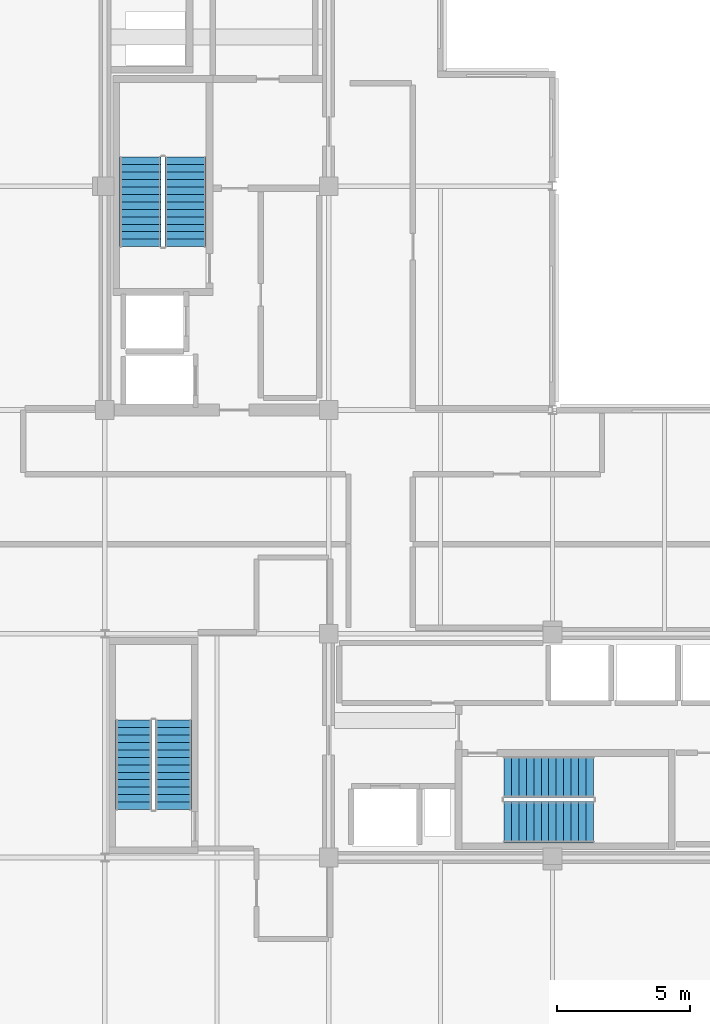
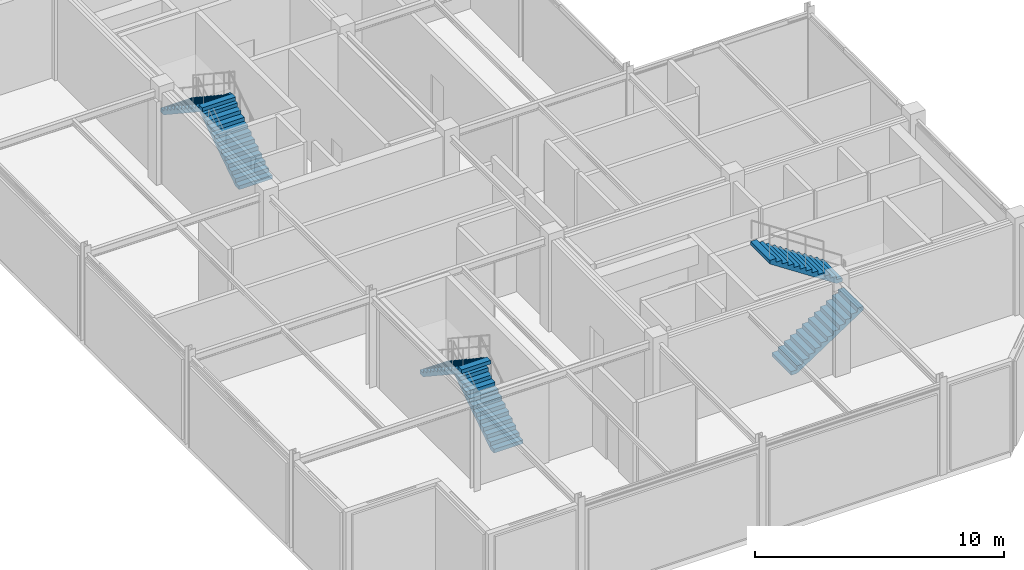
# One storey, part 6 of 9: 6 stair flights, 3 elements without a shape of their own.
"""IFC4 building model written with IfcOpenShell, lengths in metres."""

from ifc_helpers import new_model, si_unit, direction, frame, origin, place, context, subcontext, project, spatial, polyline, outline, extrude, material, type_object, element, aggregate, save


model = new_model("IFC4")

# Units and contexts
model_context = context("Model", 3, precision=1e-05, world=origin(), true_north=direction((0.0, 1.0)))
body_context = subcontext(model_context, "Body", "Model", "MODEL_VIEW")
ifc_project = project(units=[si_unit("LENGTHUNIT", "METRE"), si_unit("AREAUNIT", "SQUARE_METRE"), si_unit("VOLUMEUNIT", "CUBIC_METRE"), si_unit("PLANEANGLEUNIT", "RADIAN"), si_unit("MASSUNIT", "GRAM", prefix="KILO")], contexts=[model_context])

# Site, building, storey
site_placement = place(None, origin())
site = spatial("IfcSite", under=ifc_project, at=site_placement, CompositionType="ELEMENT")
building_placement = place(site_placement, origin())
building = spatial("IfcBuilding", under=site, at=building_placement, Name="Nerrivon Quay Data Exchange", CompositionType="ELEMENT")
storey_placement = place(building_placement, frame((0.0, 0.0, 322.199951171875)))
storey = spatial("IfcBuildingStorey", under=building, at=storey_placement, Name="L77", CompositionType="ELEMENT", Elevation=322.199951171875)

# Stair, stair flights
ifc_material = material(Name="Concrete N50 (50 MPa)", Category="concrete")
stair_type = type_object("IfcStairType", Name="STAIR-DOG-48", PredefinedType="HALF_TURN_STAIR", material=ifc_material)
stair_1_placement = place(storey_placement, origin())
stair_1 = element("IfcStair", 1, at=stair_1_placement, inside=storey, type_object=stair_type, Name="L77 West Core Fire Stair ST01", PredefinedType="HALF_TURN_STAIR")
stair_flight_type = type_object("IfcStairFlightType", Name="FLIGHT-DOG-48", PredefinedType="STRAIGHT", material=ifc_material)
stair_flight_1_placement = place(storey_placement, frame((11.425048828125, 31.330078125, 0.0), z_axis=(0.0, 0.0, 1.0), x_axis=(0.0, 1.0, 0.0)))
stair_flight_1 = element("IfcStairFlight", 2, at=stair_flight_1_placement, type_object=stair_flight_type, Name="ST01 flight 1", NumberOfRisers=13, NumberOfTreads=12, PredefinedType="STRAIGHT", RiserHeight=0.184615385, TreadLength=0.28, context=body_context, shape_type="SweptSolid", body=[
    extrude(outline(polyline([(0.0, 0.0), (0.0, 0.1845703125), (0.280029296875, 0.1845703125), (0.280029296875, 0.369140625), (0.56005859375, 0.369140625), (0.56005859375, 0.553955078125), (0.840087890625, 0.553955078125), (0.840087890625, 0.738525390625), (1.1201171875, 0.738525390625), (1.1201171875, 0.923095703125), (1.39990234375, 0.923095703125), (1.39990234375, 1.107666015625), (1.679931640625, 1.107666015625), (1.679931640625, 1.292236328125), (1.9599609375, 1.292236328125), (1.9599609375, 1.476806640625), (2.239990234375, 1.476806640625), (2.239990234375, 1.66162109375), (2.52001953125, 1.66162109375), (2.52001953125, 1.84619140625), (2.800048828125, 1.84619140625), (2.800048828125, 2.03076171875), (3.080078125, 2.03076171875), (3.080078125, 2.21533203125), (3.360107421875, 2.21533203125), (3.360107421875, 2.39990234375), (3.360107421875, 2.035888671875), (0.272216796875, 0.0), (0.0, 0.0)])), frame((0.0, 0.77490234375, 0.0), z_axis=(0.0, -1.0, 0.0), x_axis=(1.0, 0.0, 0.0)), (0.0, 0.0, 1.0), 1.550048828125),
])
stair_flight_2_placement = place(storey_placement, frame((9.72509765625, 34.68994140625, 2.400146484375), z_axis=(0.0, 0.0, 1.0), x_axis=(0.0, -1.0, 0.0)))
stair_flight_2 = element("IfcStairFlight", 3, at=stair_flight_2_placement, type_object=stair_flight_type, Name="ST01 flight 2", NumberOfRisers=13, NumberOfTreads=12, PredefinedType="STRAIGHT", RiserHeight=0.184615385, TreadLength=0.28, context=body_context, shape_type="SweptSolid", body=[
    extrude(outline(polyline([(0.0, 0.0), (0.0, 0.1845703125), (0.280029296875, 0.1845703125), (0.280029296875, 0.369140625), (0.56005859375, 0.369140625), (0.56005859375, 0.553955078125), (0.840087890625, 0.553955078125), (0.840087890625, 0.738525390625), (1.1201171875, 0.738525390625), (1.1201171875, 0.923095703125), (1.39990234375, 0.923095703125), (1.39990234375, 1.107666015625), (1.679931640625, 1.107666015625), (1.679931640625, 1.292236328125), (1.9599609375, 1.292236328125), (1.9599609375, 1.476806640625), (2.239990234375, 1.476806640625), (2.239990234375, 1.66162109375), (2.52001953125, 1.66162109375), (2.52001953125, 1.84619140625), (2.800048828125, 1.84619140625), (2.800048828125, 2.03076171875), (3.080078125, 2.03076171875), (3.080078125, 2.21533203125), (3.360107421875, 2.21533203125), (3.360107421875, 2.39990234375), (3.360107421875, 2.035888671875), (0.272216796875, 0.0), (0.0, 0.0)])), frame((0.0, 0.77490234375, 0.0), z_axis=(0.0, -1.0, 0.0), x_axis=(1.0, 0.0, 0.0)), (0.0, 0.0, 1.0), 1.550048828125),
])
aggregate(stair_1, [stair_flight_1, stair_flight_2])

stair_2_placement = place(storey_placement, origin())
stair_2 = element("IfcStair", 4, at=stair_2_placement, inside=storey, type_object=stair_type, Name="L77 East Core Fire Stair ST02", PredefinedType="HALF_TURN_STAIR")
stair_flight_3_placement = place(storey_placement, frame((23.3798828125, 9.72509765625, 0.0), z_axis=(0.0, 0.0, 1.0), x_axis=(1.0, 0.0, 0.0)))
stair_flight_3 = element("IfcStairFlight", 5, at=stair_flight_3_placement, type_object=stair_flight_type, Name="ST02 flight 1", NumberOfRisers=13, NumberOfTreads=12, PredefinedType="STRAIGHT", RiserHeight=0.184615385, TreadLength=0.28, context=body_context, shape_type="SweptSolid", body=[
    extrude(outline(polyline([(0.0, 0.0), (0.0, 0.1845703125), (0.280029296875, 0.1845703125), (0.280029296875, 0.369140625), (0.56005859375, 0.369140625), (0.56005859375, 0.553955078125), (0.840087890625, 0.553955078125), (0.840087890625, 0.738525390625), (1.1201171875, 0.738525390625), (1.1201171875, 0.923095703125), (1.39990234375, 0.923095703125), (1.39990234375, 1.107666015625), (1.679931640625, 1.107666015625), (1.679931640625, 1.292236328125), (1.9599609375, 1.292236328125), (1.9599609375, 1.476806640625), (2.239990234375, 1.476806640625), (2.239990234375, 1.66162109375), (2.52001953125, 1.66162109375), (2.52001953125, 1.84619140625), (2.800048828125, 1.84619140625), (2.800048828125, 2.03076171875), (3.080078125, 2.03076171875), (3.080078125, 2.21533203125), (3.360107421875, 2.21533203125), (3.360107421875, 2.39990234375), (3.360107421875, 2.035888671875), (0.272216796875, 0.0), (0.0, 0.0)])), frame((0.0, 0.77490234375, 0.0), z_axis=(0.0, -1.0, 0.0), x_axis=(1.0, 0.0, 0.0)), (0.0, 0.0, 1.0), 1.550048828125),
])
stair_flight_4_placement = place(storey_placement, frame((26.739990234375, 11.425048828125, 2.400146484375), z_axis=(0.0, 0.0, 1.0), x_axis=(-1.0, 0.0, 0.0)))
stair_flight_4 = element("IfcStairFlight", 6, at=stair_flight_4_placement, type_object=stair_flight_type, Name="ST02 flight 2", NumberOfRisers=13, NumberOfTreads=12, PredefinedType="STRAIGHT", RiserHeight=0.184615385, TreadLength=0.28, context=body_context, shape_type="SweptSolid", body=[
    extrude(outline(polyline([(0.0, 0.0), (0.0, 0.1845703125), (0.280029296875, 0.1845703125), (0.280029296875, 0.369140625), (0.56005859375, 0.369140625), (0.56005859375, 0.553955078125), (0.840087890625, 0.553955078125), (0.840087890625, 0.738525390625), (1.1201171875, 0.738525390625), (1.1201171875, 0.923095703125), (1.39990234375, 0.923095703125), (1.39990234375, 1.107666015625), (1.679931640625, 1.107666015625), (1.679931640625, 1.292236328125), (1.9599609375, 1.292236328125), (1.9599609375, 1.476806640625), (2.239990234375, 1.476806640625), (2.239990234375, 1.66162109375), (2.52001953125, 1.66162109375), (2.52001953125, 1.84619140625), (2.800048828125, 1.84619140625), (2.800048828125, 2.03076171875), (3.080078125, 2.03076171875), (3.080078125, 2.21533203125), (3.360107421875, 2.21533203125), (3.360107421875, 2.39990234375), (3.360107421875, 2.035888671875), (0.272216796875, 0.0), (0.0, 0.0)])), frame((0.0, 0.77490234375, 0.0), z_axis=(0.0, -1.0, 0.0), x_axis=(1.0, 0.0, 0.0)), (0.0, 0.0, 1.0), 1.550048828125),
])
aggregate(stair_2, [stair_flight_3, stair_flight_4])

stair_3_placement = place(storey_placement, origin())
stair_3 = element("IfcStair", 7, at=stair_3_placement, inside=storey, type_object=stair_type, Name="L77 Crown Maintenance Stair ST08", PredefinedType="HALF_TURN_STAIR")
stair_flight_5_placement = place(storey_placement, frame((10.97509765625, 10.199951171875, 0.0), z_axis=(0.0, 0.0, 1.0), x_axis=(0.0, 1.0, 0.0)))
stair_flight_5 = element("IfcStairFlight", 8, at=stair_flight_5_placement, type_object=stair_flight_type, Name="ST08 flight 1", NumberOfRisers=13, NumberOfTreads=12, PredefinedType="STRAIGHT", RiserHeight=0.184615385, TreadLength=0.28, context=body_context, shape_type="SweptSolid", body=[
    extrude(outline(polyline([(0.0, 0.0), (0.0, 0.1845703125), (0.280029296875, 0.1845703125), (0.280029296875, 0.369140625), (0.56005859375, 0.369140625), (0.56005859375, 0.553955078125), (0.840087890625, 0.553955078125), (0.840087890625, 0.738525390625), (1.1201171875, 0.738525390625), (1.1201171875, 0.923095703125), (1.39990234375, 0.923095703125), (1.39990234375, 1.107666015625), (1.679931640625, 1.107666015625), (1.679931640625, 1.292236328125), (1.9599609375, 1.292236328125), (1.9599609375, 1.476806640625), (2.239990234375, 1.476806640625), (2.239990234375, 1.66162109375), (2.52001953125, 1.66162109375), (2.52001953125, 1.84619140625), (2.800048828125, 1.84619140625), (2.800048828125, 2.03076171875), (3.080078125, 2.03076171875), (3.080078125, 2.21533203125), (3.360107421875, 2.21533203125), (3.360107421875, 2.39990234375), (3.360107421875, 2.035888671875), (0.272216796875, 0.0), (0.0, 0.0)])), frame((0.0, 0.675048828125, 0.0), z_axis=(0.0, -1.0, 0.0), x_axis=(1.0, 0.0, 0.0)), (0.0, 0.0, 1.0), 1.35009765625),
])
stair_flight_6_placement = place(storey_placement, frame((9.47509765625, 13.56005859375, 2.400146484375), z_axis=(0.0, 0.0, 1.0), x_axis=(0.0, -1.0, 0.0)))
stair_flight_6 = element("IfcStairFlight", 9, at=stair_flight_6_placement, type_object=stair_flight_type, Name="ST08 flight 2", NumberOfRisers=13, NumberOfTreads=12, PredefinedType="STRAIGHT", RiserHeight=0.184615385, TreadLength=0.28, context=body_context, shape_type="SweptSolid", body=[
    extrude(outline(polyline([(0.0, 0.0), (0.0, 0.1845703125), (0.280029296875, 0.1845703125), (0.280029296875, 0.369140625), (0.56005859375, 0.369140625), (0.56005859375, 0.553955078125), (0.840087890625, 0.553955078125), (0.840087890625, 0.738525390625), (1.1201171875, 0.738525390625), (1.1201171875, 0.923095703125), (1.39990234375, 0.923095703125), (1.39990234375, 1.107666015625), (1.679931640625, 1.107666015625), (1.679931640625, 1.292236328125), (1.9599609375, 1.292236328125), (1.9599609375, 1.476806640625), (2.239990234375, 1.476806640625), (2.239990234375, 1.66162109375), (2.52001953125, 1.66162109375), (2.52001953125, 1.84619140625), (2.800048828125, 1.84619140625), (2.800048828125, 2.03076171875), (3.080078125, 2.03076171875), (3.080078125, 2.21533203125), (3.360107421875, 2.21533203125), (3.360107421875, 2.39990234375), (3.360107421875, 2.035888671875), (0.272216796875, 0.0), (0.0, 0.0)])), frame((0.0, 0.675048828125, 0.0), z_axis=(0.0, -1.0, 0.0), x_axis=(1.0, 0.0, 0.0)), (0.0, 0.0, 1.0), 1.35009765625),
])
aggregate(stair_3, [stair_flight_5, stair_flight_6])

save(model, "model.ifc")
